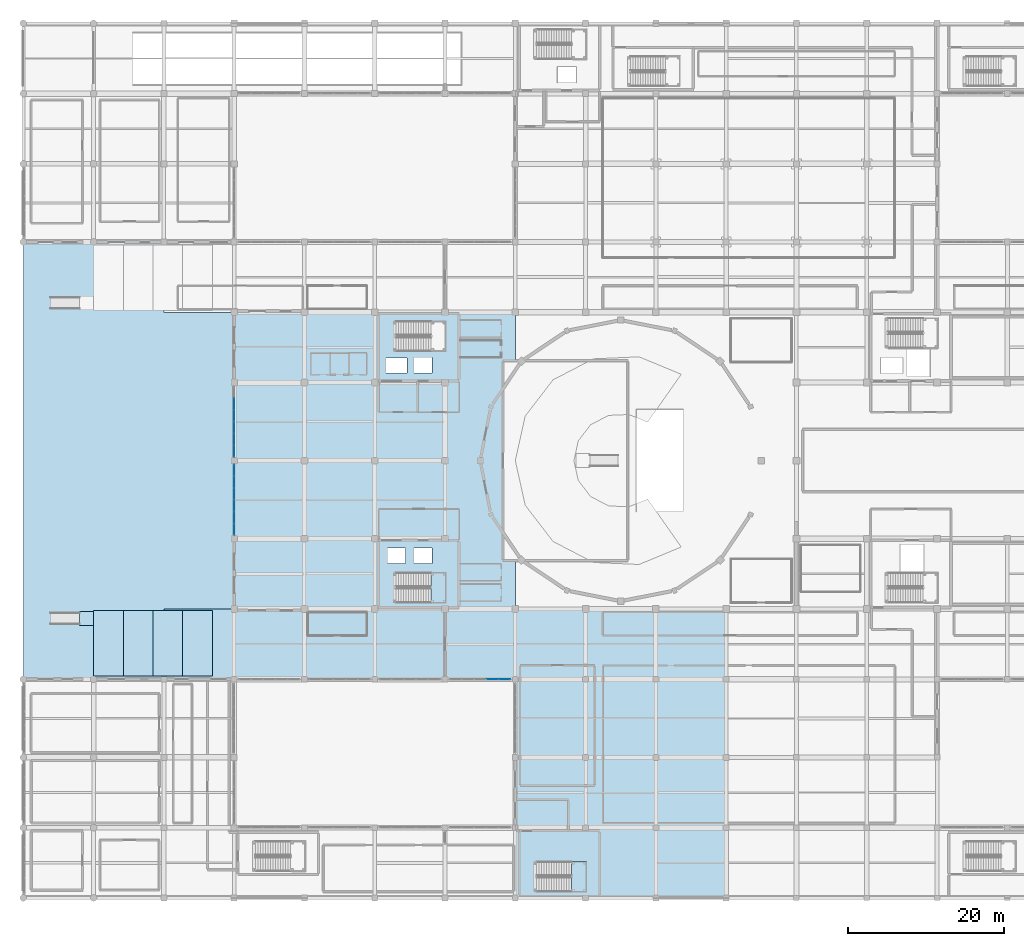
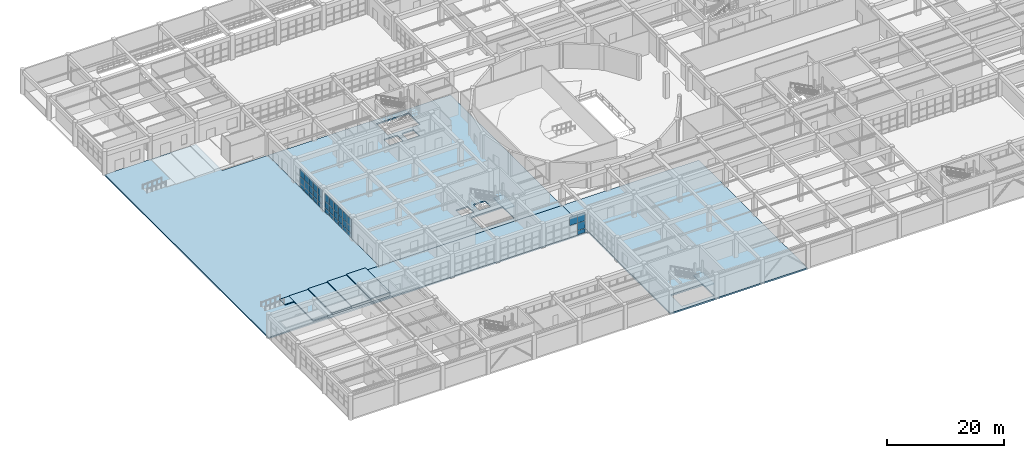
# One storey, part 87 of 128: 37 plates, 11 slabs, 6 elements without a shape of their own.
"""IFC4 building model written with IfcOpenShell, lengths in metres."""

from ifc_helpers import new_model, si_unit, direction, frame, origin, origin_2d, place, context, subcontext, project, spatial, polyline, rectangle, outline, extrude, material, layer, layer_set, type_object, element, aggregate, save


model = new_model("IFC4")

# Units and contexts
model_context = context("Model", 3, precision=1e-05, world=origin(), true_north=direction((0.0, 1.0)))
body_context = subcontext(model_context, "Body", "Model", "MODEL_VIEW")
ifc_project = project(units=[si_unit("LENGTHUNIT", "METRE"), si_unit("AREAUNIT", "SQUARE_METRE"), si_unit("VOLUMEUNIT", "CUBIC_METRE"), si_unit("PLANEANGLEUNIT", "RADIAN"), si_unit("MASSUNIT", "GRAM", prefix="KILO")], contexts=[model_context])

# Site, building, storey
site_placement = place(None, origin())
site = spatial("IfcSite", under=ifc_project, at=site_placement, CompositionType="ELEMENT")
building_placement = place(site_placement, origin())
building = spatial("IfcBuilding", under=site, at=building_placement, Name="Miravela Opera House", CompositionType="ELEMENT")
storey_placement = place(building_placement, origin())
storey = spatial("IfcBuildingStorey", under=building, at=storey_placement, Name="L00", CompositionType="ELEMENT", Elevation=0.0)

# Curtain wall, plates
ifc_material_1 = material(Name="Anodised architectural bronze aluminium 6063-T6", Category="aluminium")
curtain_wall_type_1 = type_object("IfcCurtainWallType", Name="ARC-CW-01", PredefinedType="NOTDEFINED", material=ifc_material_1)
curtain_wall_1_placement = place(storey_placement, origin())
curtain_wall_1 = element("IfcCurtainWall", 1, at=curtain_wall_1_placement, inside=storey, type_object=curtain_wall_type_1, Name="West Foyer Recessed Glazing South CW-L00-001", PredefinedType="NOTDEFINED")
ifc_material_2 = material(Name="Acoustic laminated low-E insulating glass", Category="glass")
ifc_layer_1 = layer(ifc_material_2, 0.028076171875)
ifc_layer_set_1 = layer_set([ifc_layer_1])
plate_type = type_object("IfcPlateType", Name="ARC-CWP-28", PredefinedType="CURTAIN_PANEL", material=ifc_layer_set_1)
plate_1_placement = place(storey_placement, frame((27.0, 47.224609375, 0.06494140625), z_axis=(0.0, 0.0, 1.0), x_axis=(0.0, 1.0, 0.0)))
plate_1 = element("IfcPlate", 2, at=plate_1_placement, type_object=plate_type, Name="CW-01 panel 1.1", PredefinedType="CURTAIN_PANEL", context=body_context, shape_type="SweptSolid", body=[
    extrude(rectangle(XDim=1.419189453125, YDim=0.028076171875, at=origin_2d()), origin(), (0.0, 0.0, 1.0), 0.8525390625),
])
plate_2_placement = place(storey_placement, frame((27.0, 47.224609375, 0.982421875), z_axis=(0.0, 0.0, 1.0), x_axis=(0.0, 1.0, 0.0)))
plate_2 = element("IfcPlate", 3, at=plate_2_placement, type_object=plate_type, Name="CW-01 panel 1.2", PredefinedType="CURTAIN_PANEL", context=body_context, shape_type="SweptSolid", body=[
    extrude(rectangle(XDim=1.419189453125, YDim=0.028076171875, at=origin_2d()), origin(), (0.0, 0.0, 1.0), 1.304931640625),
])
plate_3_placement = place(storey_placement, frame((27.0, 47.224609375, 2.3525390625), z_axis=(0.0, 0.0, 1.0), x_axis=(0.0, 1.0, 0.0)))
plate_3 = element("IfcPlate", 4, at=plate_3_placement, type_object=plate_type, Name="CW-01 panel 1.3", PredefinedType="CURTAIN_PANEL", context=body_context, shape_type="SweptSolid", body=[
    extrude(rectangle(XDim=1.419189453125, YDim=0.028076171875, at=origin_2d()), origin(), (0.0, 0.0, 1.0), 1.58251953125),
])
plate_4_placement = place(storey_placement, frame((27.0, 48.72509765625, 0.06494140625), z_axis=(0.0, 0.0, 1.0), x_axis=(0.0, 1.0, 0.0)))
plate_4 = element("IfcPlate", 5, at=plate_4_placement, type_object=plate_type, Name="CW-01 panel 2.1", PredefinedType="CURTAIN_PANEL", context=body_context, shape_type="SweptSolid", body=[
    extrude(rectangle(XDim=1.45166015625, YDim=0.028076171875, at=origin_2d()), origin(), (0.0, 0.0, 1.0), 0.8525390625),
])
plate_5_placement = place(storey_placement, frame((27.0, 48.72509765625, 0.982421875), z_axis=(0.0, 0.0, 1.0), x_axis=(0.0, 1.0, 0.0)))
plate_5 = element("IfcPlate", 6, at=plate_5_placement, type_object=plate_type, Name="CW-01 panel 2.2", PredefinedType="CURTAIN_PANEL", context=body_context, shape_type="SweptSolid", body=[
    extrude(rectangle(XDim=1.45166015625, YDim=0.028076171875, at=origin_2d()), origin(), (0.0, 0.0, 1.0), 1.304931640625),
])
plate_6_placement = place(storey_placement, frame((27.0, 48.72509765625, 2.3525390625), z_axis=(0.0, 0.0, 1.0), x_axis=(0.0, 1.0, 0.0)))
plate_6 = element("IfcPlate", 7, at=plate_6_placement, type_object=plate_type, Name="CW-01 panel 2.3", PredefinedType="CURTAIN_PANEL", context=body_context, shape_type="SweptSolid", body=[
    extrude(rectangle(XDim=1.45166015625, YDim=0.028076171875, at=origin_2d()), origin(), (0.0, 0.0, 1.0), 1.58251953125),
])
plate_7_placement = place(storey_placement, frame((27.0, 50.24169921875, 0.06494140625), z_axis=(0.0, 0.0, 1.0), x_axis=(0.0, 1.0, 0.0)))
plate_7 = element("IfcPlate", 8, at=plate_7_placement, type_object=plate_type, Name="CW-01 panel 3.1", PredefinedType="CURTAIN_PANEL", context=body_context, shape_type="SweptSolid", body=[
    extrude(rectangle(XDim=1.45166015625, YDim=0.028076171875, at=origin_2d()), origin(), (0.0, 0.0, 1.0), 0.8525390625),
])
plate_8_placement = place(storey_placement, frame((27.0, 50.24169921875, 0.982421875), z_axis=(0.0, 0.0, 1.0), x_axis=(0.0, 1.0, 0.0)))
plate_8 = element("IfcPlate", 9, at=plate_8_placement, type_object=plate_type, Name="CW-01 panel 3.2", PredefinedType="CURTAIN_PANEL", context=body_context, shape_type="SweptSolid", body=[
    extrude(rectangle(XDim=1.45166015625, YDim=0.028076171875, at=origin_2d()), origin(), (0.0, 0.0, 1.0), 1.304931640625),
])
plate_9_placement = place(storey_placement, frame((27.0, 50.24169921875, 2.3525390625), z_axis=(0.0, 0.0, 1.0), x_axis=(0.0, 1.0, 0.0)))
plate_9 = element("IfcPlate", 10, at=plate_9_placement, type_object=plate_type, Name="CW-01 panel 3.3", PredefinedType="CURTAIN_PANEL", context=body_context, shape_type="SweptSolid", body=[
    extrude(rectangle(XDim=1.45166015625, YDim=0.028076171875, at=origin_2d()), origin(), (0.0, 0.0, 1.0), 1.58251953125),
])
plate_10_placement = place(storey_placement, frame((27.0, 51.75830078125, 0.06494140625), z_axis=(0.0, 0.0, 1.0), x_axis=(0.0, 1.0, 0.0)))
plate_10 = element("IfcPlate", 11, at=plate_10_placement, type_object=plate_type, Name="CW-01 panel 4.1", PredefinedType="CURTAIN_PANEL", context=body_context, shape_type="SweptSolid", body=[
    extrude(rectangle(XDim=1.45166015625, YDim=0.028076171875, at=origin_2d()), origin(), (0.0, 0.0, 1.0), 0.8525390625),
])
plate_11_placement = place(storey_placement, frame((27.0, 51.75830078125, 0.982421875), z_axis=(0.0, 0.0, 1.0), x_axis=(0.0, 1.0, 0.0)))
plate_11 = element("IfcPlate", 12, at=plate_11_placement, type_object=plate_type, Name="CW-01 panel 4.2", PredefinedType="CURTAIN_PANEL", context=body_context, shape_type="SweptSolid", body=[
    extrude(rectangle(XDim=1.45166015625, YDim=0.028076171875, at=origin_2d()), origin(), (0.0, 0.0, 1.0), 1.304931640625),
])
plate_12_placement = place(storey_placement, frame((27.0, 51.75830078125, 2.3525390625), z_axis=(0.0, 0.0, 1.0), x_axis=(0.0, 1.0, 0.0)))
plate_12 = element("IfcPlate", 13, at=plate_12_placement, type_object=plate_type, Name="CW-01 panel 4.3", PredefinedType="CURTAIN_PANEL", context=body_context, shape_type="SweptSolid", body=[
    extrude(rectangle(XDim=1.45166015625, YDim=0.028076171875, at=origin_2d()), origin(), (0.0, 0.0, 1.0), 1.58251953125),
])
plate_13_placement = place(storey_placement, frame((27.0, 53.27490234375, 0.06494140625), z_axis=(0.0, 0.0, 1.0), x_axis=(0.0, 1.0, 0.0)))
plate_13 = element("IfcPlate", 14, at=plate_13_placement, type_object=plate_type, Name="CW-01 panel 5.1", PredefinedType="CURTAIN_PANEL", context=body_context, shape_type="SweptSolid", body=[
    extrude(rectangle(XDim=1.45166015625, YDim=0.028076171875, at=origin_2d()), origin(), (0.0, 0.0, 1.0), 0.8525390625),
])
plate_14_placement = place(storey_placement, frame((27.0, 53.27490234375, 0.982421875), z_axis=(0.0, 0.0, 1.0), x_axis=(0.0, 1.0, 0.0)))
plate_14 = element("IfcPlate", 15, at=plate_14_placement, type_object=plate_type, Name="CW-01 panel 5.2", PredefinedType="CURTAIN_PANEL", context=body_context, shape_type="SweptSolid", body=[
    extrude(rectangle(XDim=1.45166015625, YDim=0.028076171875, at=origin_2d()), origin(), (0.0, 0.0, 1.0), 1.304931640625),
])
plate_15_placement = place(storey_placement, frame((27.0, 53.27490234375, 2.3525390625), z_axis=(0.0, 0.0, 1.0), x_axis=(0.0, 1.0, 0.0)))
plate_15 = element("IfcPlate", 16, at=plate_15_placement, type_object=plate_type, Name="CW-01 panel 5.3", PredefinedType="CURTAIN_PANEL", context=body_context, shape_type="SweptSolid", body=[
    extrude(rectangle(XDim=1.45166015625, YDim=0.028076171875, at=origin_2d()), origin(), (0.0, 0.0, 1.0), 1.58251953125),
])
plate_16_placement = place(storey_placement, frame((27.0, 54.775390625, 0.06494140625), z_axis=(0.0, 0.0, 1.0), x_axis=(0.0, 1.0, 0.0)))
plate_16 = element("IfcPlate", 17, at=plate_16_placement, type_object=plate_type, Name="CW-01 panel 6.1", PredefinedType="CURTAIN_PANEL", context=body_context, shape_type="SweptSolid", body=[
    extrude(rectangle(XDim=1.419189453125, YDim=0.028076171875, at=origin_2d()), origin(), (0.0, 0.0, 1.0), 0.8525390625),
])
plate_17_placement = place(storey_placement, frame((27.0, 54.775390625, 0.982421875), z_axis=(0.0, 0.0, 1.0), x_axis=(0.0, 1.0, 0.0)))
plate_17 = element("IfcPlate", 18, at=plate_17_placement, type_object=plate_type, Name="CW-01 panel 6.2", PredefinedType="CURTAIN_PANEL", context=body_context, shape_type="SweptSolid", body=[
    extrude(rectangle(XDim=1.419189453125, YDim=0.028076171875, at=origin_2d()), origin(), (0.0, 0.0, 1.0), 1.304931640625),
])
plate_18_placement = place(storey_placement, frame((27.0, 54.775390625, 2.3525390625), z_axis=(0.0, 0.0, 1.0), x_axis=(0.0, 1.0, 0.0)))
plate_18 = element("IfcPlate", 19, at=plate_18_placement, type_object=plate_type, Name="CW-01 panel 6.3", PredefinedType="CURTAIN_PANEL", context=body_context, shape_type="SweptSolid", body=[
    extrude(rectangle(XDim=1.419189453125, YDim=0.028076171875, at=origin_2d()), origin(), (0.0, 0.0, 1.0), 1.58251953125),
])
aggregate(curtain_wall_1, [plate_1, plate_2, plate_3, plate_4, plate_5, plate_6, plate_7, plate_8, plate_9, plate_10, plate_11, plate_12, plate_13, plate_14, plate_15, plate_16, plate_17, plate_18])

curtain_wall_2_placement = place(storey_placement, origin())
curtain_wall_2 = element("IfcCurtainWall", 20, at=curtain_wall_2_placement, inside=storey, type_object=curtain_wall_type_1, Name="West Foyer Recessed Glazing North CW-L00-002", PredefinedType="NOTDEFINED")
plate_19_placement = place(storey_placement, frame((27.0, 57.224609375, 0.06494140625), z_axis=(0.0, 0.0, 1.0), x_axis=(0.0, 1.0, 0.0)))
plate_19 = element("IfcPlate", 21, at=plate_19_placement, type_object=plate_type, Name="CW-01 panel 1.1", PredefinedType="CURTAIN_PANEL", context=body_context, shape_type="SweptSolid", body=[
    extrude(rectangle(XDim=1.419189453125, YDim=0.028076171875, at=origin_2d()), origin(), (0.0, 0.0, 1.0), 0.8525390625),
])
plate_20_placement = place(storey_placement, frame((27.0, 57.224609375, 0.982421875), z_axis=(0.0, 0.0, 1.0), x_axis=(0.0, 1.0, 0.0)))
plate_20 = element("IfcPlate", 22, at=plate_20_placement, type_object=plate_type, Name="CW-01 panel 1.2", PredefinedType="CURTAIN_PANEL", context=body_context, shape_type="SweptSolid", body=[
    extrude(rectangle(XDim=1.419189453125, YDim=0.028076171875, at=origin_2d()), origin(), (0.0, 0.0, 1.0), 1.304931640625),
])
plate_21_placement = place(storey_placement, frame((27.0, 57.224609375, 2.3525390625), z_axis=(0.0, 0.0, 1.0), x_axis=(0.0, 1.0, 0.0)))
plate_21 = element("IfcPlate", 23, at=plate_21_placement, type_object=plate_type, Name="CW-01 panel 1.3", PredefinedType="CURTAIN_PANEL", context=body_context, shape_type="SweptSolid", body=[
    extrude(rectangle(XDim=1.419189453125, YDim=0.028076171875, at=origin_2d()), origin(), (0.0, 0.0, 1.0), 1.58251953125),
])
plate_22_placement = place(storey_placement, frame((27.0, 58.72509765625, 0.06494140625), z_axis=(0.0, 0.0, 1.0), x_axis=(0.0, 1.0, 0.0)))
plate_22 = element("IfcPlate", 24, at=plate_22_placement, type_object=plate_type, Name="CW-01 panel 2.1", PredefinedType="CURTAIN_PANEL", context=body_context, shape_type="SweptSolid", body=[
    extrude(rectangle(XDim=1.45166015625, YDim=0.028076171875, at=origin_2d()), origin(), (0.0, 0.0, 1.0), 0.8525390625),
])
plate_23_placement = place(storey_placement, frame((27.0, 58.72509765625, 0.982421875), z_axis=(0.0, 0.0, 1.0), x_axis=(0.0, 1.0, 0.0)))
plate_23 = element("IfcPlate", 25, at=plate_23_placement, type_object=plate_type, Name="CW-01 panel 2.2", PredefinedType="CURTAIN_PANEL", context=body_context, shape_type="SweptSolid", body=[
    extrude(rectangle(XDim=1.45166015625, YDim=0.028076171875, at=origin_2d()), origin(), (0.0, 0.0, 1.0), 1.304931640625),
])
plate_24_placement = place(storey_placement, frame((27.0, 58.72509765625, 2.3525390625), z_axis=(0.0, 0.0, 1.0), x_axis=(0.0, 1.0, 0.0)))
plate_24 = element("IfcPlate", 26, at=plate_24_placement, type_object=plate_type, Name="CW-01 panel 2.3", PredefinedType="CURTAIN_PANEL", context=body_context, shape_type="SweptSolid", body=[
    extrude(rectangle(XDim=1.45166015625, YDim=0.028076171875, at=origin_2d()), origin(), (0.0, 0.0, 1.0), 1.58251953125),
])
plate_25_placement = place(storey_placement, frame((27.0, 60.24169921875, 0.06494140625), z_axis=(0.0, 0.0, 1.0), x_axis=(0.0, 1.0, 0.0)))
plate_25 = element("IfcPlate", 27, at=plate_25_placement, type_object=plate_type, Name="CW-01 panel 3.1", PredefinedType="CURTAIN_PANEL", context=body_context, shape_type="SweptSolid", body=[
    extrude(rectangle(XDim=1.45166015625, YDim=0.028076171875, at=origin_2d()), origin(), (0.0, 0.0, 1.0), 0.8525390625),
])
plate_26_placement = place(storey_placement, frame((27.0, 60.24169921875, 0.982421875), z_axis=(0.0, 0.0, 1.0), x_axis=(0.0, 1.0, 0.0)))
plate_26 = element("IfcPlate", 28, at=plate_26_placement, type_object=plate_type, Name="CW-01 panel 3.2", PredefinedType="CURTAIN_PANEL", context=body_context, shape_type="SweptSolid", body=[
    extrude(rectangle(XDim=1.45166015625, YDim=0.028076171875, at=origin_2d()), origin(), (0.0, 0.0, 1.0), 1.304931640625),
])
plate_27_placement = place(storey_placement, frame((27.0, 60.24169921875, 2.3525390625), z_axis=(0.0, 0.0, 1.0), x_axis=(0.0, 1.0, 0.0)))
plate_27 = element("IfcPlate", 29, at=plate_27_placement, type_object=plate_type, Name="CW-01 panel 3.3", PredefinedType="CURTAIN_PANEL", context=body_context, shape_type="SweptSolid", body=[
    extrude(rectangle(XDim=1.45166015625, YDim=0.028076171875, at=origin_2d()), origin(), (0.0, 0.0, 1.0), 1.58251953125),
])
plate_28_placement = place(storey_placement, frame((27.0, 61.75830078125, 0.06494140625), z_axis=(0.0, 0.0, 1.0), x_axis=(0.0, 1.0, 0.0)))
plate_28 = element("IfcPlate", 30, at=plate_28_placement, type_object=plate_type, Name="CW-01 panel 4.1", PredefinedType="CURTAIN_PANEL", context=body_context, shape_type="SweptSolid", body=[
    extrude(rectangle(XDim=1.45166015625, YDim=0.028076171875, at=origin_2d()), origin(), (0.0, 0.0, 1.0), 0.8525390625),
])
plate_29_placement = place(storey_placement, frame((27.0, 61.75830078125, 0.982421875), z_axis=(0.0, 0.0, 1.0), x_axis=(0.0, 1.0, 0.0)))
plate_29 = element("IfcPlate", 31, at=plate_29_placement, type_object=plate_type, Name="CW-01 panel 4.2", PredefinedType="CURTAIN_PANEL", context=body_context, shape_type="SweptSolid", body=[
    extrude(rectangle(XDim=1.45166015625, YDim=0.028076171875, at=origin_2d()), origin(), (0.0, 0.0, 1.0), 1.304931640625),
])
plate_30_placement = place(storey_placement, frame((27.0, 61.75830078125, 2.3525390625), z_axis=(0.0, 0.0, 1.0), x_axis=(0.0, 1.0, 0.0)))
plate_30 = element("IfcPlate", 32, at=plate_30_placement, type_object=plate_type, Name="CW-01 panel 4.3", PredefinedType="CURTAIN_PANEL", context=body_context, shape_type="SweptSolid", body=[
    extrude(rectangle(XDim=1.45166015625, YDim=0.028076171875, at=origin_2d()), origin(), (0.0, 0.0, 1.0), 1.58251953125),
])
plate_31_placement = place(storey_placement, frame((27.0, 63.27490234375, 0.06494140625), z_axis=(0.0, 0.0, 1.0), x_axis=(0.0, 1.0, 0.0)))
plate_31 = element("IfcPlate", 33, at=plate_31_placement, type_object=plate_type, Name="CW-01 panel 5.1", PredefinedType="CURTAIN_PANEL", context=body_context, shape_type="SweptSolid", body=[
    extrude(rectangle(XDim=1.45166015625, YDim=0.028076171875, at=origin_2d()), origin(), (0.0, 0.0, 1.0), 0.8525390625),
])
plate_32_placement = place(storey_placement, frame((27.0, 63.27490234375, 0.982421875), z_axis=(0.0, 0.0, 1.0), x_axis=(0.0, 1.0, 0.0)))
plate_32 = element("IfcPlate", 34, at=plate_32_placement, type_object=plate_type, Name="CW-01 panel 5.2", PredefinedType="CURTAIN_PANEL", context=body_context, shape_type="SweptSolid", body=[
    extrude(rectangle(XDim=1.45166015625, YDim=0.028076171875, at=origin_2d()), origin(), (0.0, 0.0, 1.0), 1.304931640625),
])
plate_33_placement = place(storey_placement, frame((27.0, 63.27490234375, 2.3525390625), z_axis=(0.0, 0.0, 1.0), x_axis=(0.0, 1.0, 0.0)))
plate_33 = element("IfcPlate", 35, at=plate_33_placement, type_object=plate_type, Name="CW-01 panel 5.3", PredefinedType="CURTAIN_PANEL", context=body_context, shape_type="SweptSolid", body=[
    extrude(rectangle(XDim=1.45166015625, YDim=0.028076171875, at=origin_2d()), origin(), (0.0, 0.0, 1.0), 1.58251953125),
])
aggregate(curtain_wall_2, [plate_19, plate_20, plate_21, plate_22, plate_23, plate_24, plate_25, plate_26, plate_27, plate_28, plate_29, plate_30, plate_31, plate_32, plate_33])

curtain_wall_type_2 = type_object("IfcCurtainWallType", Name="ARC-CW-06", PredefinedType="NOTDEFINED", material=ifc_material_1)
curtain_wall_3_placement = place(storey_placement, origin())
curtain_wall_3 = element("IfcCurtainWall", 36, at=curtain_wall_3_placement, inside=storey, type_object=curtain_wall_type_2, Name="Courtyard Arcade Curtain Wall CW-L00-119", PredefinedType="NOTDEFINED")
plate_34_placement = place(storey_placement, frame((60.068115234375, 28.0, 2.52392578125), z_axis=(0.0, 0.0, 1.0), x_axis=(1.0, 0.0, 0.0)))
plate_34 = element("IfcPlate", 37, at=plate_34_placement, type_object=plate_type, Name="CW-06 panel 4.3", PredefinedType="CURTAIN_PANEL", context=body_context, shape_type="SweptSolid", body=[
    extrude(rectangle(XDim=1.508056640625, YDim=0.028076171875, at=origin_2d()), origin(), (0.0, 0.0, 1.0), 1.716064453125),
])
plate_35_placement = place(storey_placement, frame((61.62109375, 28.0, 0.06005859375), z_axis=(0.0, 0.0, 1.0), x_axis=(1.0, 0.0, 0.0)))
plate_35 = element("IfcPlate", 38, at=plate_35_placement, type_object=plate_type, Name="CW-06 panel 5.1", PredefinedType="CURTAIN_PANEL", context=body_context, shape_type="SweptSolid", body=[
    extrude(rectangle(XDim=1.47802734375, YDim=0.028076171875, at=origin_2d()), origin(), (0.0, 0.0, 1.0), 0.860107421875),
])
plate_36_placement = place(storey_placement, frame((61.62109375, 28.0, 0.97998046875), z_axis=(0.0, 0.0, 1.0), x_axis=(1.0, 0.0, 0.0)))
plate_36 = element("IfcPlate", 39, at=plate_36_placement, type_object=plate_type, Name="CW-06 panel 5.2", PredefinedType="CURTAIN_PANEL", context=body_context, shape_type="SweptSolid", body=[
    extrude(rectangle(XDim=1.47802734375, YDim=0.028076171875, at=origin_2d()), origin(), (0.0, 0.0, 1.0), 1.48388671875),
])
plate_37_placement = place(storey_placement, frame((61.62109375, 28.0, 2.52392578125), z_axis=(0.0, 0.0, 1.0), x_axis=(1.0, 0.0, 0.0)))
plate_37 = element("IfcPlate", 40, at=plate_37_placement, type_object=plate_type, Name="CW-06 panel 5.3", PredefinedType="CURTAIN_PANEL", context=body_context, shape_type="SweptSolid", body=[
    extrude(rectangle(XDim=1.47802734375, YDim=0.028076171875, at=origin_2d()), origin(), (0.0, 0.0, 1.0), 1.716064453125),
])
aggregate(curtain_wall_3, [plate_34, plate_35, plate_36, plate_37])

# Stair, slab
ifc_material_3 = material(Name="Concrete C35/45", Category="concrete")
stair_type = type_object("IfcStairType", Name="ARC-STAIR-CORE-1680", PredefinedType="HALF_TURN_STAIR", material=ifc_material_3)
stair_1_placement = place(storey_placement, origin())
stair_1 = element("IfcStair", 41, at=stair_1_placement, inside=storey, type_object=stair_type, Name="L00 Core K2 South Foyer Core Exit Stair ST-02", PredefinedType="HALF_TURN_STAIR")
ifc_layer_2 = layer(ifc_material_3, 0.199951171875)
ifc_layer_set_2 = layer_set([ifc_layer_2])
slab_type_1 = type_object("IfcSlabType", Name="ARC-LANDING-200", PredefinedType="LANDING", material=ifc_layer_set_2)
slab_1_placement = place(storey_placement, frame((0.0, 0.0, 2.35009765625)))
slab_1 = element("IfcSlab", 42, at=slab_1_placement, type_object=slab_type_1, Name="ST-02 landing 1", PredefinedType="LANDING", context=body_context, shape_type="SweptSolid", body=[
    extrude(outline(polyline([(52.219970703125, 37.800048828125), (54.10009765625, 37.800048828125), (54.10009765625, 41.679931640625), (52.219970703125, 41.679931640625), (52.219970703125, 37.800048828125)])), origin(), (0.0, 0.0, 1.0), 0.199951171875),
])
aggregate(stair_1, [slab_1])

stair_2_placement = place(storey_placement, origin())
stair_2 = element("IfcStair", 43, at=stair_2_placement, inside=storey, type_object=stair_type, Name="L00 Core K6 South Artist Core Exit Stair ST-06", PredefinedType="HALF_TURN_STAIR")
slab_2_placement = place(storey_placement, frame((0.0, 0.0, 2.35009765625)))
slab_2 = element("IfcSlab", 44, at=slab_2_placement, type_object=slab_type_1, Name="ST-06 landing 1", PredefinedType="LANDING", context=body_context, shape_type="SweptSolid", body=[
    extrude(outline(polyline([(70.219970703125, 0.800048828125), (72.10009765625, 0.800048828125), (72.10009765625, 4.679931640625), (70.219970703125, 4.679931640625), (70.219970703125, 0.800048828125)])), origin(), (0.0, 0.0, 1.0), 0.199951171875),
])
aggregate(stair_2, [slab_2])

# Ramp, slab
ramp_type = type_object("IfcRampType", Name="ARC-RAMP-ACC-1800", PredefinedType="STRAIGHT_RUN_RAMP", material=ifc_material_3)
ramp_placement = place(storey_placement, origin())
ramp = element("IfcRamp", 45, at=ramp_placement, inside=storey, type_object=ramp_type, Name="Forecourt South Amphitheatre Accessible Ramp", PredefinedType="STRAIGHT_RUN_RAMP")
ifc_layer_3 = layer(ifc_material_3, 0.25)
ifc_layer_set_3 = layer_set([ifc_layer_3])
slab_type_2 = type_object("IfcSlabType", Name="ARC-RLANDING-250", PredefinedType="LANDING", material=ifc_layer_set_3)
slab_3_placement = place(storey_placement, origin())
slab_3 = element("IfcSlab", 46, at=slab_3_placement, type_object=slab_type_2, Name="Forecourt South Amphitheatre Accessible Ramp landing 1", PredefinedType="LANDING", context=body_context, shape_type="SweptSolid", body=[
    extrude(outline(polyline([(7.199951171875, 34.89990234375), (9.0, 34.89990234375), (9.0, 36.699951171875), (7.199951171875, 36.699951171875), (7.199951171875, 34.89990234375)])), origin(), (0.0, 0.0, 1.0), 0.179931640625),
])
aggregate(ramp, [slab_3])

# Slabs
ifc_material_4 = material(Name="Precast concrete C40/50", Category="concrete")
ifc_layer_4 = layer(ifc_material_4, 0.2099609375)
ifc_layer_set_4 = layer_set([ifc_layer_4])
slab_type_3 = type_object("IfcSlabType", Name="STR-SLAB-AMPH-210", PredefinedType="USERDEFINED", material=ifc_layer_set_4)
slab_4_placement = place(storey_placement, frame((0.0, 0.0, -0.054931640625)))
element("IfcSlab", 47, at=slab_4_placement, inside=storey, type_object=slab_type_3, Name="Stand Outdoor Amphitheatre South Tier 1", ObjectType="SEATING TIER", PredefinedType="USERDEFINED", context=body_context, shape_type="SweptSolid", body=[
    extrude(outline(polyline([(9.0, 28.39990234375), (12.800048828125, 28.39990234375), (12.800048828125, 36.800048828125), (9.0, 36.800048828125), (9.0, 28.39990234375)])), origin(), (0.0, 0.0, 1.0), 0.23486328125),
])
slab_5_placement = place(storey_placement, origin())
element("IfcSlab", 48, at=slab_5_placement, inside=storey, type_object=slab_type_3, Name="Stand Outdoor Amphitheatre South Tier 2", ObjectType="SEATING TIER", PredefinedType="USERDEFINED", context=body_context, shape_type="SweptSolid", body=[
    extrude(outline(polyline([(12.800048828125, 28.39990234375), (16.60009765625, 28.39990234375), (16.60009765625, 36.800048828125), (12.800048828125, 36.800048828125), (12.800048828125, 28.39990234375)])), origin(), (0.0, 0.0, 1.0), 0.360107421875),
])
slab_6_placement = place(storey_placement, origin())
element("IfcSlab", 49, at=slab_6_placement, inside=storey, type_object=slab_type_3, Name="Stand Outdoor Amphitheatre South Tier 3", ObjectType="SEATING TIER", PredefinedType="USERDEFINED", context=body_context, shape_type="SweptSolid", body=[
    extrude(outline(polyline([(16.60009765625, 28.39990234375), (20.39990234375, 28.39990234375), (20.39990234375, 36.800048828125), (16.60009765625, 36.800048828125), (16.60009765625, 28.39990234375)])), origin(), (0.0, 0.0, 1.0), 0.5400390625),
])
slab_7_placement = place(storey_placement, origin())
element("IfcSlab", 50, at=slab_7_placement, inside=storey, type_object=slab_type_3, Name="Stand Outdoor Amphitheatre South Tier 4", ObjectType="SEATING TIER", PredefinedType="USERDEFINED", context=body_context, shape_type="SweptSolid", body=[
    extrude(outline(polyline([(20.39990234375, 28.39990234375), (24.199951171875, 28.39990234375), (24.199951171875, 36.800048828125), (20.39990234375, 36.800048828125), (20.39990234375, 28.39990234375)])), origin(), (0.0, 0.0, 1.0), 0.719970703125),
])
ifc_layer_5 = layer(ifc_material_3, 0.280029296875)
ifc_layer_set_5 = layer_set([ifc_layer_5])
slab_type_4 = type_object("IfcSlabType", Name="STR-SLAB-L00-280", PredefinedType="FLOOR", material=ifc_layer_set_5)
slab_8_placement = place(storey_placement, frame((0.0, 0.0, -0.280029296875)))
element("IfcSlab", 51, at=slab_8_placement, inside=storey, type_object=slab_type_4, Name="Ground Level Slab SLAB-L00-V1W", PredefinedType="FLOOR", context=body_context, shape_type="SweptSolid", body=[
    extrude(outline(polyline([(27.0, 37.0), (63.0, 37.0), (63.0, 75.0), (27.0, 75.0), (27.0, 37.0)]), holes=[polyline([(47.739990234375, 70.0), (54.10009765625, 70.0), (54.10009765625, 73.8798828125), (47.739990234375, 73.8798828125), (47.739990234375, 70.0)]), polyline([(47.739990234375, 37.800048828125), (54.10009765625, 37.800048828125), (54.10009765625, 41.679931640625), (47.739990234375, 41.679931640625), (47.739990234375, 37.800048828125)]), polyline([(46.449951171875, 67.22509765625), (49.14990234375, 67.22509765625), (49.14990234375, 69.175048828125), (46.449951171875, 69.175048828125), (46.449951171875, 67.22509765625)]), polyline([(50.050048828125, 67.199951171875), (52.35009765625, 67.199951171875), (52.35009765625, 69.199951171875), (50.050048828125, 69.199951171875), (50.050048828125, 67.199951171875)]), polyline([(46.64990234375, 42.800048828125), (48.949951171875, 42.800048828125), (48.949951171875, 44.800048828125), (46.64990234375, 44.800048828125), (46.64990234375, 42.800048828125)]), polyline([(50.050048828125, 42.800048828125), (52.35009765625, 42.800048828125), (52.35009765625, 44.800048828125), (50.050048828125, 44.800048828125), (50.050048828125, 42.800048828125)])]), origin(), (0.0, 0.0, 1.0), 0.280029296875),
])
slab_9_placement = place(storey_placement, frame((0.0, 0.0, -0.280029296875)))
element("IfcSlab", 52, at=slab_9_placement, inside=storey, type_object=slab_type_4, Name="Ground Level Slab SLAB-L00-V4N", PredefinedType="FLOOR", context=body_context, shape_type="SweptSolid", body=[
    extrude(outline(polyline([(18.0, 28.0), (63.0, 28.0), (63.0, 37.0), (18.0, 37.0), (18.0, 28.0)])), origin(), (0.0, 0.0, 1.0), 0.280029296875),
])
ifc_material_5 = material(Name="Concrete C40/50", Category="concrete")
ifc_layer_6 = layer(ifc_material_5, 0.320068359375)
ifc_layer_set_6 = layer_set([ifc_layer_6])
slab_type_5 = type_object("IfcSlabType", Name="STR-SLAB-STAGE-320", PredefinedType="FLOOR", material=ifc_layer_set_6)
slab_10_placement = place(storey_placement, frame((0.0, 0.0, -0.320068359375)))
element("IfcSlab", 53, at=slab_10_placement, inside=storey, type_object=slab_type_5, Name="Ground Level Slab SLAB-L00-V4M1", PredefinedType="FLOOR", context=body_context, shape_type="SweptSolid", body=[
    extrude(outline(polyline([(63.0, 0.0), (90.0, 0.0), (90.0, 37.0), (63.0, 37.0), (63.0, 0.0)]), holes=[polyline([(65.739990234375, 0.800048828125), (72.10009765625, 0.800048828125), (72.10009765625, 4.679931640625), (65.739990234375, 4.679931640625), (65.739990234375, 0.800048828125)])]), origin(), (0.0, 0.0, 1.0), 0.320068359375),
])
ifc_layer_7 = layer(ifc_material_3, 0.27001953125)
ifc_layer_set_7 = layer_set([ifc_layer_7])
slab_type_6 = type_object("IfcSlabType", Name="STR-SLAB-TERR-270", PredefinedType="FLOOR", material=ifc_layer_set_7)
slab_11_placement = place(storey_placement, frame((0.0, 0.0, -0.27001953125)))
element("IfcSlab", 54, at=slab_11_placement, inside=storey, type_object=slab_type_6, Name="Ground Level Slab SLAB-L00-EXT-FORE-POLY", PredefinedType="FLOOR", context=body_context, shape_type="SweptSolid", body=[
    extrude(outline(polyline([(0.0, 28.0), (18.0, 28.0), (18.0, 37.0), (27.0, 37.0), (27.0, 75.0), (18.0, 75.0), (18.0, 84.0), (0.0, 84.0), (0.0, 28.0)])), origin(), (0.0, 0.0, 1.0), 0.27001953125),
])

save(model, "model.ifc")
